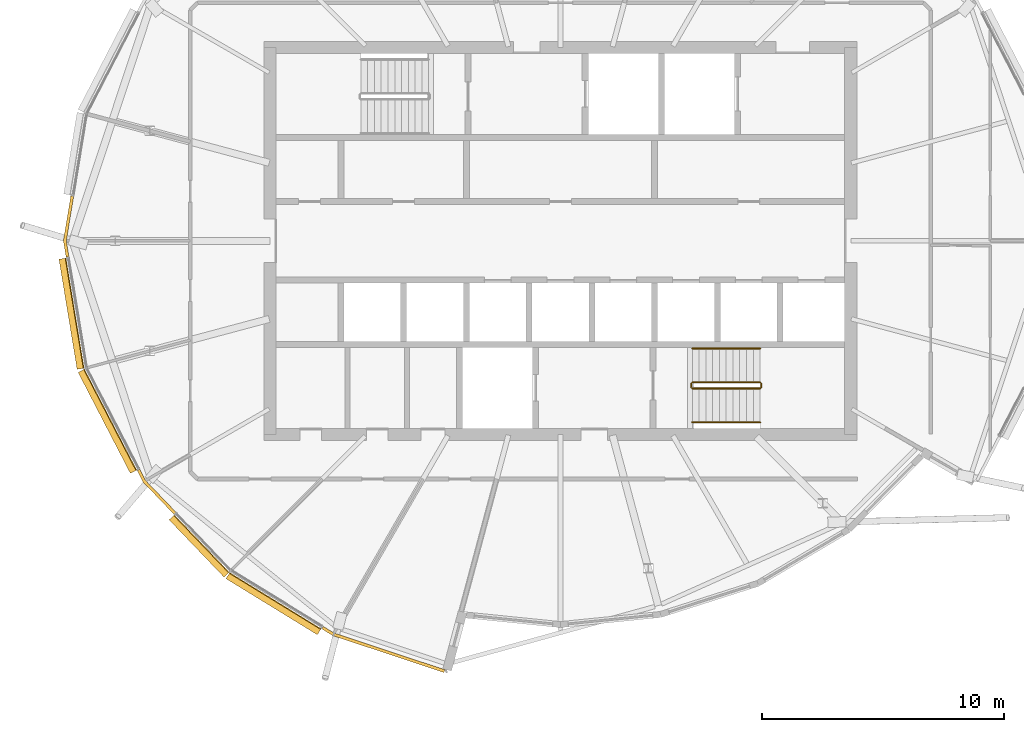
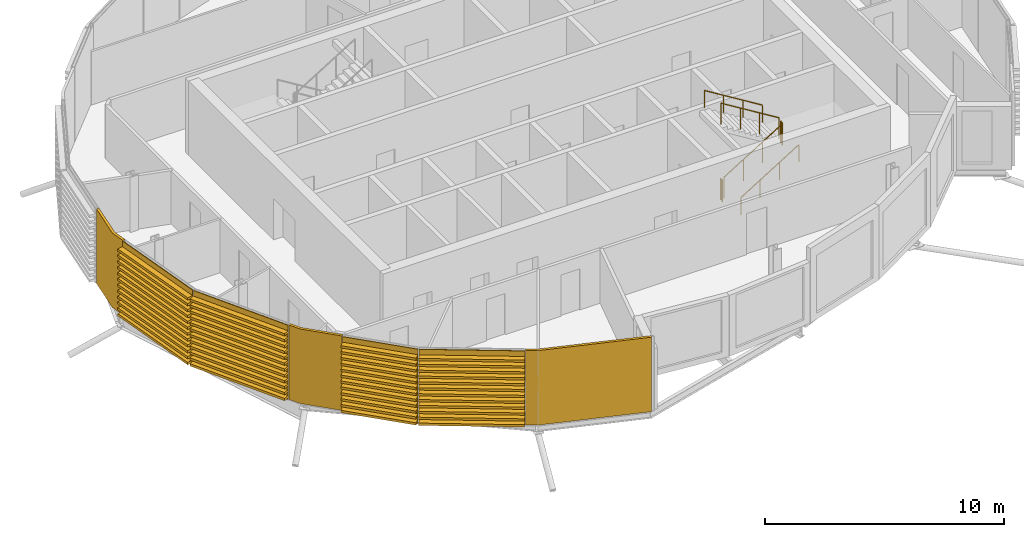
# One storey, part 28 of 33: 7 coverings, 6 railings.
"""IFC4 building model written with IfcOpenShell, lengths in metres."""

from ifc_helpers import new_model, si_unit, direction, frame, origin, origin_2d, place, context, subcontext, project, spatial, polyline, circle, outline, extrude, material, layer, layer_set, material_profile, profile_set, type_object, element, save


model = new_model("IFC4")

# Units and contexts
model_context = context("Model", 3, precision=1e-05, world=origin(), true_north=direction((0.0, 1.0)))
body_context = subcontext(model_context, "Body", "Model", "MODEL_VIEW")
ifc_project = project(units=[si_unit("LENGTHUNIT", "METRE"), si_unit("AREAUNIT", "SQUARE_METRE"), si_unit("VOLUMEUNIT", "CUBIC_METRE"), si_unit("PLANEANGLEUNIT", "RADIAN"), si_unit("MASSUNIT", "GRAM", prefix="KILO")], contexts=[model_context])

# Site, building, storey
site_placement = place(None, origin())
site = spatial("IfcSite", under=ifc_project, at=site_placement, CompositionType="ELEMENT")
building_placement = place(site_placement, origin())
building = spatial("IfcBuilding", under=site, at=building_placement, Name="Rimbun Link Towers", CompositionType="ELEMENT")
storey_placement = place(building_placement, frame((0.0, 0.0, 237.10009765625)))
storey = spatial("IfcBuildingStorey", under=building, at=storey_placement, Name="L58", CompositionType="ELEMENT", Elevation=237.10009765625)

# Coverings
ifc_material_1 = material(Name="Terracotta", Category="masonry")
ifc_layer = layer(ifc_material_1, 0.1201171875)
ifc_layer_set = layer_set([ifc_layer], Name="LINK PIER terracotta cladding 120")
covering_type_1 = type_object("IfcCoveringType", Name="LINK PIER terracotta cladding 120", PredefinedType="CLADDING", material=ifc_layer_set)
covering_1_placement = place(storey_placement, origin())
element("IfcCovering", 1, at=covering_1_placement, inside=storey, type_object=covering_type_1, Name="LINK PIER cladding", PredefinedType="CLADDING", context=body_context, shape_type="SweptSolid", body=[
    extrude(outline(polyline([(-52.06640625, -0.6611328125), (-52.17529296875, 0.0), (-51.871826171875, 1.84521484375), (-51.990234375, 1.86474609375), (-52.296875, 0.0), (-52.184814453125, -0.6806640625), (-52.06640625, -0.6611328125)])), origin(), (0.0, 0.0, 1.0), 3.7998046875),
])
covering_2_placement = place(storey_placement, origin())
element("IfcCovering", 2, at=covering_2_placement, inside=storey, type_object=covering_type_1, Name="LINK PIER cladding", PredefinedType="CLADDING", context=body_context, shape_type="SweptSolid", body=[
    extrude(outline(polyline([(-47.64208984375, -11.21630859375), (-48.901611328125, -9.902587890625), (-49.140625, -9.440673828125), (-49.247314453125, -9.495849609375), (-49.000244140625, -9.97314453125), (-47.728759765625, -11.29931640625), (-47.64208984375, -11.21630859375)])), origin(), (0.0, 0.0, 1.0), 3.7998046875),
])
covering_3_placement = place(storey_placement, origin())
element("IfcCovering", 3, at=covering_3_placement, inside=storey, type_object=covering_type_1, Name="LINK PIER cladding", PredefinedType="CLADDING", context=body_context, shape_type="SweptSolid", body=[
    extrude(outline(polyline([(-36.53076171875, -17.726806640625), (-41.108642578125, -16.209716796875), (-41.5517578125, -15.937744140625), (-41.61474609375, -16.0400390625), (-41.15966796875, -16.3193359375), (-36.568603515625, -17.8408203125), (-36.53076171875, -17.726806640625)])), origin(), (0.0, 0.0, 1.0), 3.7998046875),
])

# Railings
ifc_material_2 = material(Name="Stainless steel grade 316", Category="steel")
railing_type_1 = type_object("IfcRailingType", Name="Stair guard", PredefinedType="GUARDRAIL", material=ifc_material_2)
railing_1_placement = place(storey_placement, frame((-26.300048828125, -6.10009765625, 0.172607421875)))
element("IfcRailing", 4, at=railing_1_placement, inside=storey, type_object=railing_type_1, Name="L58 ST2 stair guard 1", PredefinedType="GUARDRAIL", context=body_context, shape_type="SweptSolid", body=[
    extrude(circle(Radius=0.02392578125, at=origin_2d()), frame((0.0, 0.0, 1.076171875), z_axis=(0.851089632645, 0.0, 0.525020415988), x_axis=(0.0, 1.0, 0.0)), (0.0, 0.0, 1.0), 3.2900390625),
    extrude(circle(Radius=0.02099609375, at=origin_2d()), origin(), (0.0, 0.0, 1.0), 1.052001953125),
    extrude(circle(Radius=0.02099609375, at=origin_2d()), frame((0.933349609375, 0.0, 0.57568359375)), (0.0, 0.0, 1.0), 1.052001953125),
    extrude(circle(Radius=0.02099609375, at=origin_2d()), frame((1.86669921875, 0.0, 1.151611328125)), (0.0, 0.0, 1.0), 1.052001953125),
    extrude(circle(Radius=0.02099609375, at=origin_2d()), frame((2.800048828125, 0.0, 1.727294921875)), (0.0, 0.0, 1.0), 1.052001953125),
])
railing_2_placement = place(storey_placement, frame((-23.449951171875, -6.050048828125, 1.89990234375)))
element("IfcRailing", 5, at=railing_2_placement, inside=storey, type_object=railing_type_1, Name="L58 ST2 stair guard 2", PredefinedType="GUARDRAIL", context=body_context, shape_type="SweptSolid", body=[
    extrude(circle(Radius=0.02392578125, at=origin_2d()), frame((0.0, 0.0, 1.076171875), z_axis=(0.0, 1.0, 0.0), x_axis=(-1.0, 0.0, 0.0)), (0.0, 0.0, 1.0), 0.150146484375),
    extrude(circle(Radius=0.02099609375, at=origin_2d()), origin(), (0.0, 0.0, 1.0), 1.052001953125),
    extrude(circle(Radius=0.02099609375, at=origin_2d()), frame((0.0, 0.150146484375, 0.0)), (0.0, 0.0, 1.0), 1.052001953125),
])
railing_3_placement = place(storey_placement, frame((-23.5, -5.85009765625, 2.072509765625)))
element("IfcRailing", 6, at=railing_3_placement, inside=storey, type_object=railing_type_1, Name="L58 ST2 stair guard 3", PredefinedType="GUARDRAIL", context=body_context, shape_type="SweptSolid", body=[
    extrude(circle(Radius=0.02392578125, at=origin_2d()), frame((0.0, 0.0, 1.076171875), z_axis=(-0.851089632645, 0.0, 0.525020415988), x_axis=(0.0, -1.0, 0.0)), (0.0, 0.0, 1.0), 3.2900390625),
    extrude(circle(Radius=0.02099609375, at=origin_2d()), origin(), (0.0, 0.0, 1.0), 1.052001953125),
    extrude(circle(Radius=0.02099609375, at=origin_2d()), frame((-0.933349609375, 0.0, 0.57568359375)), (0.0, 0.0, 1.0), 1.052001953125),
    extrude(circle(Radius=0.02099609375, at=origin_2d()), frame((-1.86669921875, 0.0, 1.151611328125)), (0.0, 0.0, 1.0), 1.052001953125),
    extrude(circle(Radius=0.02099609375, at=origin_2d()), frame((-2.800048828125, 0.0, 1.727294921875)), (0.0, 0.0, 1.0), 1.052001953125),
])
railing_4_placement = place(storey_placement, frame((-26.35009765625, -6.050048828125, 0.0)))
element("IfcRailing", 7, at=railing_4_placement, inside=storey, type_object=railing_type_1, Name="L58 ST2 stair guard 4", PredefinedType="GUARDRAIL", context=body_context, shape_type="SweptSolid", body=[
    extrude(circle(Radius=0.02392578125, at=origin_2d()), frame((0.0, 0.0, 1.076171875), z_axis=(0.0, 1.0, 0.0), x_axis=(-1.0, 0.0, 0.0)), (0.0, 0.0, 1.0), 0.150146484375),
    extrude(circle(Radius=0.02099609375, at=origin_2d()), origin(), (0.0, 0.0, 1.0), 1.052001953125),
    extrude(circle(Radius=0.02099609375, at=origin_2d()), frame((0.0, 0.150146484375, 0.0)), (0.0, 0.0, 1.0), 1.052001953125),
])
ifc_material_3 = material(Name="Stainless steel grade 316", Category="steel")
railing_type_2 = type_object("IfcRailingType", Name="Stair handrail", PredefinedType="HANDRAIL", material=ifc_material_3)
railing_5_placement = place(storey_placement, frame((-26.300048828125, -7.5, 0.172607421875)))
element("IfcRailing", 8, at=railing_5_placement, inside=storey, type_object=railing_type_2, Name="L58 ST2 stair handrail 1", PredefinedType="HANDRAIL", context=body_context, shape_type="SweptSolid", body=[
    extrude(circle(Radius=0.02392578125, at=origin_2d()), frame((0.0, 0.0, 0.8759765625), z_axis=(0.851089632645, 0.0, 0.525020415988), x_axis=(0.0, 1.0, 0.0)), (0.0, 0.0, 1.0), 3.2900390625),
    extrude(circle(Radius=0.02099609375, at=origin_2d()), origin(), (0.0, 0.0, 1.0), 0.851806640625),
    extrude(circle(Radius=0.02099609375, at=origin_2d()), frame((0.933349609375, 0.0, 0.57568359375)), (0.0, 0.0, 1.0), 0.851806640625),
    extrude(circle(Radius=0.02099609375, at=origin_2d()), frame((1.86669921875, 0.0, 1.151611328125)), (0.0, 0.0, 1.0), 0.851806640625),
    extrude(circle(Radius=0.02099609375, at=origin_2d()), frame((2.800048828125, 0.0, 1.727294921875)), (0.0, 0.0, 1.0), 0.851806640625),
])
railing_6_placement = place(storey_placement, frame((-23.5, -4.449951171875, 2.072509765625)))
element("IfcRailing", 9, at=railing_6_placement, inside=storey, type_object=railing_type_2, Name="L58 ST2 stair handrail 2", PredefinedType="HANDRAIL", context=body_context, shape_type="SweptSolid", body=[
    extrude(circle(Radius=0.02392578125, at=origin_2d()), frame((0.0, 0.0, 0.8759765625), z_axis=(-0.851089632645, 0.0, 0.525020415988), x_axis=(0.0, -1.0, 0.0)), (0.0, 0.0, 1.0), 3.2900390625),
    extrude(circle(Radius=0.02099609375, at=origin_2d()), origin(), (0.0, 0.0, 1.0), 0.851806640625),
    extrude(circle(Radius=0.02099609375, at=origin_2d()), frame((-0.933349609375, 0.0, 0.57568359375)), (0.0, 0.0, 1.0), 0.851806640625),
    extrude(circle(Radius=0.02099609375, at=origin_2d()), frame((-1.86669921875, 0.0, 1.151611328125)), (0.0, 0.0, 1.0), 0.851806640625),
    extrude(circle(Radius=0.02099609375, at=origin_2d()), frame((-2.800048828125, 0.0, 1.727294921875)), (0.0, 0.0, 1.0), 0.851806640625),
])

# Coverings
ifc_material_4 = material(Name="Terracotta", Category="masonry")
ifc_material_profile = material_profile(ifc_material_4, outline(polyline([(0.123046875, 0.0), (0.1630859375, 0.0), (0.1630859375, 0.10009765625), (0.423095703125, 0.10009765625), (0.423095703125, 0.219970703125), (0.1630859375, 0.219970703125), (0.1630859375, 0.39990234375), (0.423095703125, 0.39990234375), (0.423095703125, 0.52001953125), (0.1630859375, 0.52001953125), (0.1630859375, 0.699951171875), (0.423095703125, 0.699951171875), (0.423095703125, 0.820068359375), (0.1630859375, 0.820068359375), (0.1630859375, 1.0), (0.423095703125, 1.0), (0.423095703125, 1.1201171875), (0.1630859375, 1.1201171875), (0.1630859375, 1.300048828125), (0.423095703125, 1.300048828125), (0.423095703125, 1.419921875), (0.1630859375, 1.419921875), (0.1630859375, 1.60009765625), (0.423095703125, 1.60009765625), (0.423095703125, 1.719970703125), (0.1630859375, 1.719970703125), (0.1630859375, 1.89990234375), (0.423095703125, 1.89990234375), (0.423095703125, 2.02001953125), (0.1630859375, 2.02001953125), (0.1630859375, 2.199951171875), (0.423095703125, 2.199951171875), (0.423095703125, 2.320068359375), (0.1630859375, 2.320068359375), (0.1630859375, 2.5), (0.423095703125, 2.5), (0.423095703125, 2.6201171875), (0.1630859375, 2.6201171875), (0.1630859375, 2.800048828125), (0.423095703125, 2.800048828125), (0.423095703125, 2.919921875), (0.1630859375, 2.919921875), (0.1630859375, 3.10009765625), (0.423095703125, 3.10009765625), (0.423095703125, 3.219970703125), (0.1630859375, 3.219970703125), (0.1630859375, 3.39990234375), (0.423095703125, 3.39990234375), (0.423095703125, 3.52001953125), (0.1630859375, 3.52001953125), (0.1630859375, 3.800048828125), (0.123046875, 3.800048828125), (0.123046875, 0.0)])), Name="BAGUETTE 120X300")
ifc_profile_set = profile_set([ifc_material_profile], Name="Terracotta")
covering_type_2 = type_object("IfcCoveringType", Name="TERRACOTTA BAGUETTE 120X300 H3800", PredefinedType="CLADDING", material=ifc_profile_set)
covering_4_placement = place(storey_placement, frame((-51.313232421875, -5.241943359375, 0.0), z_axis=(-0.162235546778, 0.98675205972, 0.0), x_axis=(-0.98675205972, -0.162235546778, 0.0)))
element("IfcCovering", 10, at=covering_4_placement, inside=storey, type_object=covering_type_2, Name="TERRACOTTA BAGUETTE", PredefinedType="CLADDING", context=body_context, shape_type="SweptSolid", body=[
    extrude(outline(polyline([(0.123046875, 0.0), (0.1630859375, 0.0), (0.1630859375, 0.10009765625), (0.423095703125, 0.10009765625), (0.423095703125, 0.219970703125), (0.1630859375, 0.219970703125), (0.1630859375, 0.39990234375), (0.423095703125, 0.39990234375), (0.423095703125, 0.52001953125), (0.1630859375, 0.52001953125), (0.1630859375, 0.699951171875), (0.423095703125, 0.699951171875), (0.423095703125, 0.820068359375), (0.1630859375, 0.820068359375), (0.1630859375, 1.0), (0.423095703125, 1.0), (0.423095703125, 1.1201171875), (0.1630859375, 1.1201171875), (0.1630859375, 1.300048828125), (0.423095703125, 1.300048828125), (0.423095703125, 1.419921875), (0.1630859375, 1.419921875), (0.1630859375, 1.60009765625), (0.423095703125, 1.60009765625), (0.423095703125, 1.719970703125), (0.1630859375, 1.719970703125), (0.1630859375, 1.89990234375), (0.423095703125, 1.89990234375), (0.423095703125, 2.02001953125), (0.1630859375, 2.02001953125), (0.1630859375, 2.199951171875), (0.423095703125, 2.199951171875), (0.423095703125, 2.320068359375), (0.1630859375, 2.320068359375), (0.1630859375, 2.5), (0.423095703125, 2.5), (0.423095703125, 2.6201171875), (0.1630859375, 2.6201171875), (0.1630859375, 2.800048828125), (0.423095703125, 2.800048828125), (0.423095703125, 2.919921875), (0.1630859375, 2.919921875), (0.1630859375, 3.10009765625), (0.423095703125, 3.10009765625), (0.423095703125, 3.219970703125), (0.1630859375, 3.219970703125), (0.1630859375, 3.39990234375), (0.423095703125, 3.39990234375), (0.423095703125, 3.52001953125), (0.1630859375, 3.52001953125), (0.1630859375, 3.800048828125), (0.123046875, 3.800048828125), (0.123046875, 0.0)])), origin(), (0.0, 0.0, 1.0), 4.6123046875),
])
covering_5_placement = place(storey_placement, frame((-49.154541015625, -9.4140625, 0.0), z_axis=(-0.459540267256, 0.88815693589, 0.0), x_axis=(-0.88815693589, -0.459540267256, 0.0)))
element("IfcCovering", 11, at=covering_5_placement, inside=storey, type_object=covering_type_2, Name="TERRACOTTA BAGUETTE", PredefinedType="CLADDING", context=body_context, shape_type="SweptSolid", body=[
    extrude(outline(polyline([(0.123046875, 0.0), (0.1630859375, 0.0), (0.1630859375, 0.10009765625), (0.423095703125, 0.10009765625), (0.423095703125, 0.219970703125), (0.1630859375, 0.219970703125), (0.1630859375, 0.39990234375), (0.423095703125, 0.39990234375), (0.423095703125, 0.52001953125), (0.1630859375, 0.52001953125), (0.1630859375, 0.699951171875), (0.423095703125, 0.699951171875), (0.423095703125, 0.820068359375), (0.1630859375, 0.820068359375), (0.1630859375, 1.0), (0.423095703125, 1.0), (0.423095703125, 1.1201171875), (0.1630859375, 1.1201171875), (0.1630859375, 1.300048828125), (0.423095703125, 1.300048828125), (0.423095703125, 1.419921875), (0.1630859375, 1.419921875), (0.1630859375, 1.60009765625), (0.423095703125, 1.60009765625), (0.423095703125, 1.719970703125), (0.1630859375, 1.719970703125), (0.1630859375, 1.89990234375), (0.423095703125, 1.89990234375), (0.423095703125, 2.02001953125), (0.1630859375, 2.02001953125), (0.1630859375, 2.199951171875), (0.423095703125, 2.199951171875), (0.423095703125, 2.320068359375), (0.1630859375, 2.320068359375), (0.1630859375, 2.5), (0.423095703125, 2.5), (0.423095703125, 2.6201171875), (0.1630859375, 2.6201171875), (0.1630859375, 2.800048828125), (0.423095703125, 2.800048828125), (0.423095703125, 2.919921875), (0.1630859375, 2.919921875), (0.1630859375, 3.10009765625), (0.423095703125, 3.10009765625), (0.423095703125, 3.219970703125), (0.1630859375, 3.219970703125), (0.1630859375, 3.39990234375), (0.423095703125, 3.39990234375), (0.423095703125, 3.52001953125), (0.1630859375, 3.52001953125), (0.1630859375, 3.800048828125), (0.123046875, 3.800048828125), (0.123046875, 0.0)])), origin(), (0.0, 0.0, 1.0), 4.697509765625),
])
covering_6_placement = place(storey_placement, frame((-45.353515625, -13.603515625, 0.0), z_axis=(-0.692049364256, 0.721850176583, 0.0), x_axis=(-0.721850176583, -0.692049364256, 0.0)))
element("IfcCovering", 12, at=covering_6_placement, inside=storey, type_object=covering_type_2, Name="TERRACOTTA BAGUETTE", PredefinedType="CLADDING", context=body_context, shape_type="SweptSolid", body=[
    extrude(outline(polyline([(0.123046875, 0.0), (0.1630859375, 0.0), (0.1630859375, 0.10009765625), (0.423095703125, 0.10009765625), (0.423095703125, 0.219970703125), (0.1630859375, 0.219970703125), (0.1630859375, 0.39990234375), (0.423095703125, 0.39990234375), (0.423095703125, 0.52001953125), (0.1630859375, 0.52001953125), (0.1630859375, 0.699951171875), (0.423095703125, 0.699951171875), (0.423095703125, 0.820068359375), (0.1630859375, 0.820068359375), (0.1630859375, 1.0), (0.423095703125, 1.0), (0.423095703125, 1.1201171875), (0.1630859375, 1.1201171875), (0.1630859375, 1.300048828125), (0.423095703125, 1.300048828125), (0.423095703125, 1.419921875), (0.1630859375, 1.419921875), (0.1630859375, 1.60009765625), (0.423095703125, 1.60009765625), (0.423095703125, 1.719970703125), (0.1630859375, 1.719970703125), (0.1630859375, 1.89990234375), (0.423095703125, 1.89990234375), (0.423095703125, 2.02001953125), (0.1630859375, 2.02001953125), (0.1630859375, 2.199951171875), (0.423095703125, 2.199951171875), (0.423095703125, 2.320068359375), (0.1630859375, 2.320068359375), (0.1630859375, 2.5), (0.423095703125, 2.5), (0.423095703125, 2.6201171875), (0.1630859375, 2.6201171875), (0.1630859375, 2.800048828125), (0.423095703125, 2.800048828125), (0.423095703125, 2.919921875), (0.1630859375, 2.919921875), (0.1630859375, 3.10009765625), (0.423095703125, 3.10009765625), (0.423095703125, 3.219970703125), (0.1630859375, 3.219970703125), (0.1630859375, 3.39990234375), (0.423095703125, 3.39990234375), (0.423095703125, 3.52001953125), (0.1630859375, 3.52001953125), (0.1630859375, 3.800048828125), (0.123046875, 3.800048828125), (0.123046875, 0.0)])), origin(), (0.0, 0.0, 1.0), 3.27685546875),
])
covering_7_placement = place(storey_placement, frame((-41.577392578125, -15.922119140625, 0.0), z_axis=(-0.852178121948, 0.523251802169, 0.0), x_axis=(-0.523251802169, -0.852178121948, 0.0)))
element("IfcCovering", 13, at=covering_7_placement, inside=storey, type_object=covering_type_2, Name="TERRACOTTA BAGUETTE", PredefinedType="CLADDING", context=body_context, shape_type="SweptSolid", body=[
    extrude(outline(polyline([(0.123046875, 0.0), (0.1630859375, 0.0), (0.1630859375, 0.10009765625), (0.423095703125, 0.10009765625), (0.423095703125, 0.219970703125), (0.1630859375, 0.219970703125), (0.1630859375, 0.39990234375), (0.423095703125, 0.39990234375), (0.423095703125, 0.52001953125), (0.1630859375, 0.52001953125), (0.1630859375, 0.699951171875), (0.423095703125, 0.699951171875), (0.423095703125, 0.820068359375), (0.1630859375, 0.820068359375), (0.1630859375, 1.0), (0.423095703125, 1.0), (0.423095703125, 1.1201171875), (0.1630859375, 1.1201171875), (0.1630859375, 1.300048828125), (0.423095703125, 1.300048828125), (0.423095703125, 1.419921875), (0.1630859375, 1.419921875), (0.1630859375, 1.60009765625), (0.423095703125, 1.60009765625), (0.423095703125, 1.719970703125), (0.1630859375, 1.719970703125), (0.1630859375, 1.89990234375), (0.423095703125, 1.89990234375), (0.423095703125, 2.02001953125), (0.1630859375, 2.02001953125), (0.1630859375, 2.199951171875), (0.423095703125, 2.199951171875), (0.423095703125, 2.320068359375), (0.1630859375, 2.320068359375), (0.1630859375, 2.5), (0.423095703125, 2.5), (0.423095703125, 2.6201171875), (0.1630859375, 2.6201171875), (0.1630859375, 2.800048828125), (0.423095703125, 2.800048828125), (0.423095703125, 2.919921875), (0.1630859375, 2.919921875), (0.1630859375, 3.10009765625), (0.423095703125, 3.10009765625), (0.423095703125, 3.219970703125), (0.1630859375, 3.219970703125), (0.1630859375, 3.39990234375), (0.423095703125, 3.39990234375), (0.423095703125, 3.52001953125), (0.1630859375, 3.52001953125), (0.1630859375, 3.800048828125), (0.123046875, 3.800048828125), (0.123046875, 0.0)])), origin(), (0.0, 0.0, 1.0), 4.43115234375),
])

save(model, "model.ifc")
